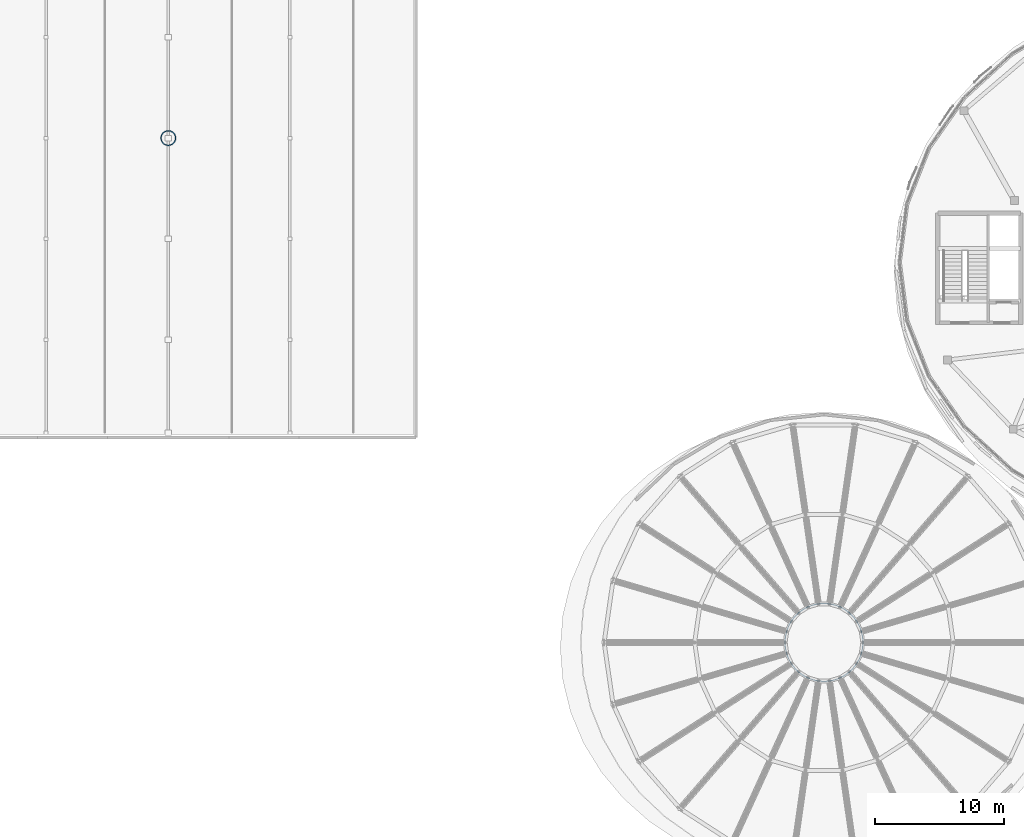
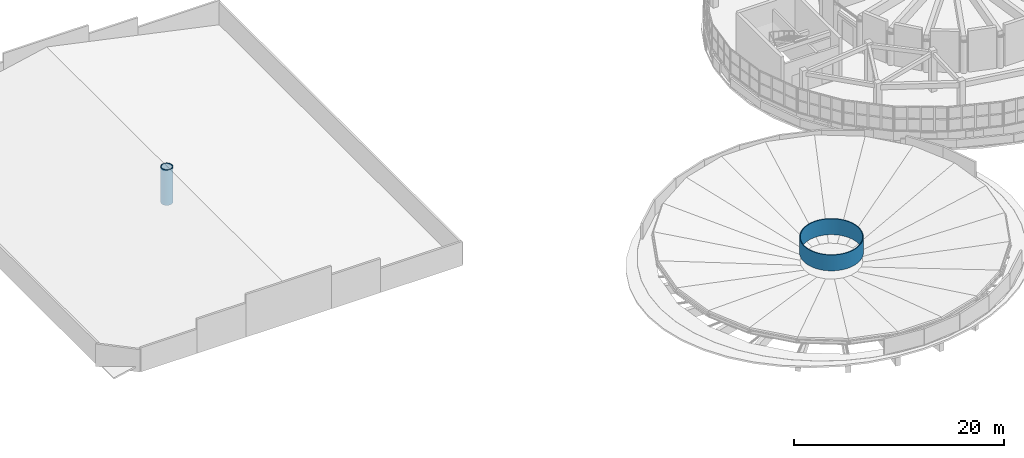
# One storey, part 64 of 69: 2 roofs.
"""IFC4 building model written with IfcOpenShell, lengths in metres."""

from ifc_helpers import new_model, si_unit, direction, frame, origin, origin_2d, place, context, subcontext, project, spatial, hollow_circle, extrude, material, element, save


model = new_model("IFC4")

# Units and contexts
model_context = context("Model", 3, precision=1e-05, world=origin(), true_north=direction((0.0, 1.0)))
body_context = subcontext(model_context, "Body", "Model", "MODEL_VIEW")
ifc_project = project(units=[si_unit("LENGTHUNIT", "METRE"), si_unit("AREAUNIT", "SQUARE_METRE"), si_unit("VOLUMEUNIT", "CUBIC_METRE"), si_unit("PLANEANGLEUNIT", "RADIAN"), si_unit("MASSUNIT", "GRAM", prefix="KILO")], contexts=[model_context])

# Site, building, storey
site_placement = place(None, origin())
site = spatial("IfcSite", under=ifc_project, at=site_placement, CompositionType="ELEMENT")
building_placement = place(site_placement, origin())
building = spatial("IfcBuilding", under=site, at=building_placement, Name="Pelvatis Terrace Science Centre", CompositionType="ELEMENT")
storey_placement = place(building_placement, frame((0.0, 0.0, 15.0)))
storey = spatial("IfcBuildingStorey", under=building, at=storey_placement, Name="L03", CompositionType="ELEMENT", Elevation=15.0)

# Roofs
ifc_material = material(Name="Structural steel S355", Category="steel")
roof_1_placement = place(storey_placement, frame((78.0, 54.60009765625, 0.0)))
element("IfcRoof", 1, at=roof_1_placement, inside=storey, material=ifc_material, Name="Natural History Shallow Closed Radial Bowl Roof", PredefinedType="PAVILION_ROOF", context=body_context, shape_type="SweptSolid", body=[
    extrude(hollow_circle(Radius=3.05, WallThickness=0.08, at=origin_2d()), origin(), (0.0, 0.0, 1.0), 1.85009765625),
])
roof_2_placement = place(storey_placement, frame((27.300048828125, 93.60009765625, 0.0)))
element("IfcRoof", 2, at=roof_2_placement, inside=storey, material=ifc_material, Name="Science Theatre Pitched Acoustic Roof", PredefinedType="GABLE_ROOF", context=body_context, shape_type="SweptSolid", body=[
    extrude(hollow_circle(Radius=0.6, WallThickness=0.08, at=origin_2d()), origin(), (0.0, 0.0, 1.0), 4.139892578125),
])

save(model, "model.ifc")
